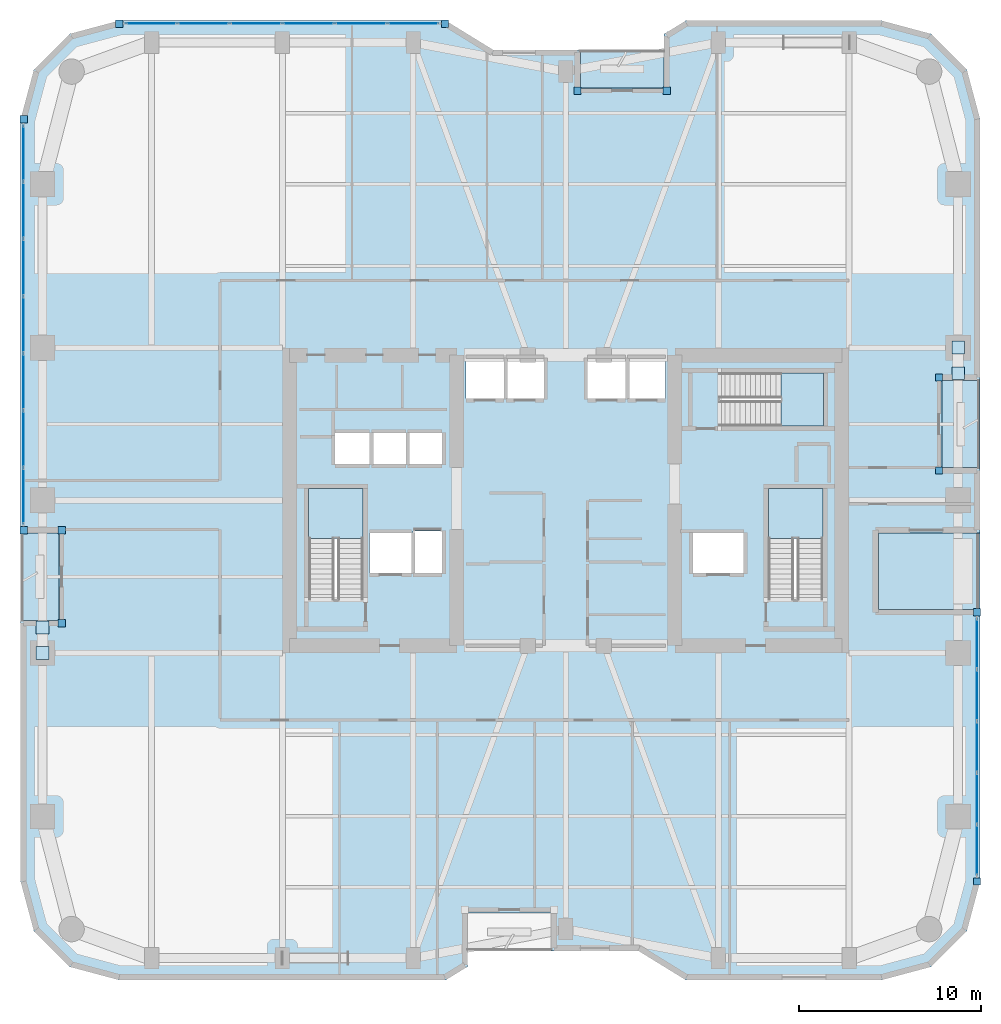
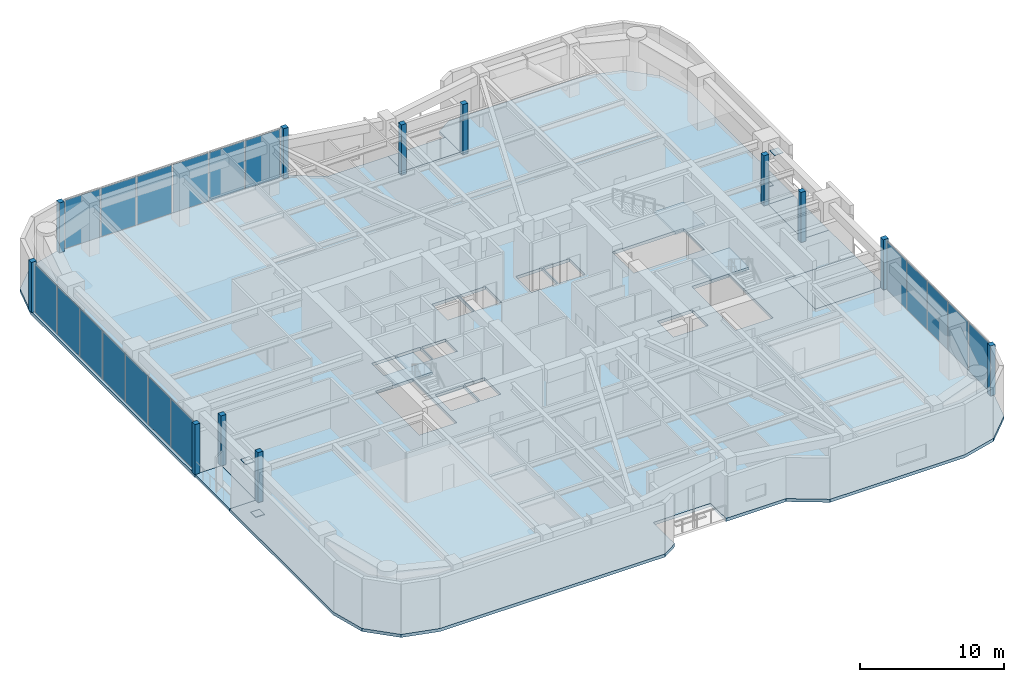
# One storey, part 12 of 20: 34 plates, 8 slabs, 6 elements without a shape of their own.
"""IFC4 building model written with IfcOpenShell, lengths in metres."""

from ifc_helpers import new_model, si_unit, direction, frame, origin, origin_2d, place, context, subcontext, project, spatial, polyline, rectangle, outline, extrude, material, layer, layer_set, type_object, element, aggregate, save


model = new_model("IFC4")

# Units and contexts
model_context = context("Model", 3, precision=1e-05, world=origin(), true_north=direction((0.0, 1.0)))
body_context = subcontext(model_context, "Body", "Model", "MODEL_VIEW")
ifc_project = project(units=[si_unit("LENGTHUNIT", "METRE"), si_unit("AREAUNIT", "SQUARE_METRE"), si_unit("VOLUMEUNIT", "CUBIC_METRE"), si_unit("PLANEANGLEUNIT", "RADIAN"), si_unit("MASSUNIT", "GRAM", prefix="KILO")], contexts=[model_context])

# Site, building, storey
site_placement = place(None, origin())
site = spatial("IfcSite", under=ifc_project, at=site_placement, CompositionType="ELEMENT")
building_placement = place(site_placement, origin())
building = spatial("IfcBuilding", under=site, at=building_placement, Name="Kiyonajd Concourse Tower", CompositionType="ELEMENT")
storey_placement = place(building_placement, frame((0.0, 0.0, 125.39990234375)))
storey = spatial("IfcBuildingStorey", under=building, at=storey_placement, Name="L32", CompositionType="ELEMENT", Elevation=125.39990234375)

# Plates
ifc_material_1 = material(Name="Steel ASTM A572 Grade 50", Category="steel")
ifc_layer_1 = layer(ifc_material_1, 0.028076171875)
ifc_layer_set_1 = layer_set([ifc_layer_1], Name="Steel ASTM A572 Grade 50")
plate_type_1 = type_object("IfcPlateType", Name="PL-CAP-450", PredefinedType="USERDEFINED", material=ifc_layer_set_1)
for number, where, z_axis, x_axis, name in (
    (1, (19.199951171875, 27.595947265625, 0.27587890625), (0.0, 0.0, 1.0), (1.0, 0.0, 0.0), "L32 Hollow Brace End Cap Plate PBW"),
    (2, (19.199951171875, 29.00390625, 3.88623046875), (0.0, 0.0, 1.0), (1.0, 0.0, 0.0), "L32 Hollow Brace Top Cap Plate PBW"),
    (3, (69.60009765625, 44.404052734375, 0.27587890625), (0.0, 0.0, 1.0), (1.0, 0.0, 0.0), "L32 Hollow Brace End Cap Plate PBE"),
    (4, (69.60009765625, 42.99609375, 3.88623046875), (0.0, 0.0, 1.0), (1.0, 0.0, 0.0), "L32 Hollow Brace Top Cap Plate PBE"),
):
    element("IfcPlate", number, at=place(storey_placement, frame(where, z_axis=z_axis, x_axis=x_axis)), inside=storey, type_object=plate_type_1, Name=name, ObjectType="CAP PLATE", PredefinedType="USERDEFINED", context=body_context, shape_type="SweptSolid", body=[
        extrude(rectangle(XDim=0.7099609375, YDim=0.7099609375, at=origin_2d()), origin(), (0.0, 0.0, 1.0), 0.028076171875),
    ])

# Curtain wall, plates
ifc_material_2 = material(Name="Thermally Broken Anodised Aluminium", Category="aluminium")
ifc_layer_2 = layer(ifc_material_2, 0.179931640625)
ifc_layer_set_2 = layer_set([ifc_layer_2], Name="Thermally Broken Anodised Aluminium")
curtain_wall_type = type_object("IfcCurtainWallType", Name="CW-SYS-05", PredefinedType="NOTDEFINED", material=ifc_layer_set_2)
curtain_wall_1_placement = place(storey_placement, origin())
curtain_wall_1 = element("IfcCurtainWall", 5, at=curtain_wall_1_placement, inside=storey, type_object=curtain_wall_type, Name="L32 Unitised Curtain Wall CW5", PredefinedType="NOTDEFINED")
ifc_material_3 = material(Name="Double Low-E Insulated Glass", Category="glass")
ifc_layer_3 = layer(ifc_material_3, 0.0400390625)
ifc_layer_set_3 = layer_set([ifc_layer_3], Name="Double Low-E Insulated Glass")
plate_type_2 = type_object("IfcPlateType", Name="PL-CW-VIS40", PredefinedType="CURTAIN_PANEL", material=ifc_layer_set_3)
plate_1_placement = place(storey_placement, frame((18.159912109375, 36.242919921875, 0.0751953125), z_axis=(0.0, 0.0, 1.0), x_axis=(0.0, 1.0, 0.0)))
plate_1 = element("IfcPlate", 6, at=plate_1_placement, type_object=plate_type_2, Name="CW5 panel 1.1", PredefinedType="CURTAIN_PANEL", context=body_context, shape_type="SweptSolid", body=[
    extrude(rectangle(XDim=3.035888671875, YDim=0.0400390625, at=origin_2d()), origin(), (0.0, 0.0, 1.0), 4.090087890625),
])
plate_2_placement = place(storey_placement, frame((18.159912109375, 39.37255859375, 0.0751953125), z_axis=(0.0, 0.0, 1.0), x_axis=(0.0, 1.0, 0.0)))
plate_2 = element("IfcPlate", 7, at=plate_2_placement, type_object=plate_type_2, Name="CW5 panel 2.1", PredefinedType="CURTAIN_PANEL", context=body_context, shape_type="SweptSolid", body=[
    extrude(rectangle(XDim=3.073486328125, YDim=0.0400390625, at=origin_2d()), origin(), (0.0, 0.0, 1.0), 4.090087890625),
])
plate_3_placement = place(storey_placement, frame((18.159912109375, 42.52099609375, 0.0751953125), z_axis=(0.0, 0.0, 1.0), x_axis=(0.0, 1.0, 0.0)))
plate_3 = element("IfcPlate", 8, at=plate_3_placement, type_object=plate_type_2, Name="CW5 panel 3.1", PredefinedType="CURTAIN_PANEL", context=body_context, shape_type="SweptSolid", body=[
    extrude(rectangle(XDim=3.073486328125, YDim=0.0400390625, at=origin_2d()), origin(), (0.0, 0.0, 1.0), 4.090087890625),
])
plate_4_placement = place(storey_placement, frame((18.159912109375, 45.66943359375, 0.0751953125), z_axis=(0.0, 0.0, 1.0), x_axis=(0.0, 1.0, 0.0)))
plate_4 = element("IfcPlate", 9, at=plate_4_placement, type_object=plate_type_2, Name="CW5 panel 4.1", PredefinedType="CURTAIN_PANEL", context=body_context, shape_type="SweptSolid", body=[
    extrude(rectangle(XDim=3.073486328125, YDim=0.0400390625, at=origin_2d()), origin(), (0.0, 0.0, 1.0), 4.090087890625),
])
plate_5_placement = place(storey_placement, frame((18.159912109375, 48.81787109375, 0.0751953125), z_axis=(0.0, 0.0, 1.0), x_axis=(0.0, 1.0, 0.0)))
plate_5 = element("IfcPlate", 10, at=plate_5_placement, type_object=plate_type_2, Name="CW5 panel 5.1", PredefinedType="CURTAIN_PANEL", context=body_context, shape_type="SweptSolid", body=[
    extrude(rectangle(XDim=3.073486328125, YDim=0.0400390625, at=origin_2d()), origin(), (0.0, 0.0, 1.0), 4.090087890625),
])
plate_6_placement = place(storey_placement, frame((18.159912109375, 51.96630859375, 0.0751953125), z_axis=(0.0, 0.0, 1.0), x_axis=(0.0, 1.0, 0.0)))
plate_6 = element("IfcPlate", 11, at=plate_6_placement, type_object=plate_type_2, Name="CW5 panel 6.1", PredefinedType="CURTAIN_PANEL", context=body_context, shape_type="SweptSolid", body=[
    extrude(rectangle(XDim=3.073486328125, YDim=0.0400390625, at=origin_2d()), origin(), (0.0, 0.0, 1.0), 4.090087890625),
])
plate_7_placement = place(storey_placement, frame((18.159912109375, 55.095947265625, 0.0751953125), z_axis=(0.0, 0.0, 1.0), x_axis=(0.0, 1.0, 0.0)))
plate_7 = element("IfcPlate", 12, at=plate_7_placement, type_object=plate_type_2, Name="CW5 panel 7.1", PredefinedType="CURTAIN_PANEL", context=body_context, shape_type="SweptSolid", body=[
    extrude(rectangle(XDim=3.035888671875, YDim=0.0400390625, at=origin_2d()), origin(), (0.0, 0.0, 1.0), 4.090087890625),
])
aggregate(curtain_wall_1, [plate_1, plate_2, plate_3, plate_4, plate_5, plate_6, plate_7])

curtain_wall_2_placement = place(storey_placement, origin())
curtain_wall_2 = element("IfcCurtainWall", 13, at=curtain_wall_2_placement, inside=storey, type_object=curtain_wall_type, Name="L32 Unitised Curtain Wall CW5", PredefinedType="NOTDEFINED")
plate_8_placement = place(storey_placement, frame((25.176025390625, 62.239990234375, 0.0751953125), z_axis=(0.0, 0.0, 1.0), x_axis=(1.0, 0.0, 0.0)))
plate_8 = element("IfcPlate", 14, at=plate_8_placement, type_object=plate_type_2, Name="CW5 panel 1.1", PredefinedType="CURTAIN_PANEL", context=body_context, shape_type="SweptSolid", body=[
    extrude(rectangle(XDim=2.77978515625, YDim=0.0400390625, at=origin_2d()), origin(), (0.0, 0.0, 1.0), 4.090087890625),
])
plate_9_placement = place(storey_placement, frame((28.049560546875, 62.239990234375, 0.0751953125), z_axis=(0.0, 0.0, 1.0), x_axis=(1.0, 0.0, 0.0)))
plate_9 = element("IfcPlate", 15, at=plate_9_placement, type_object=plate_type_2, Name="CW5 panel 2.1", PredefinedType="CURTAIN_PANEL", context=body_context, shape_type="SweptSolid", body=[
    extrude(rectangle(XDim=2.8173828125, YDim=0.0400390625, at=origin_2d()), origin(), (0.0, 0.0, 1.0), 4.090087890625),
])
plate_10_placement = place(storey_placement, frame((30.941650390625, 62.239990234375, 0.0751953125), z_axis=(0.0, 0.0, 1.0), x_axis=(1.0, 0.0, 0.0)))
plate_10 = element("IfcPlate", 16, at=plate_10_placement, type_object=plate_type_2, Name="CW5 panel 3.1", PredefinedType="CURTAIN_PANEL", context=body_context, shape_type="SweptSolid", body=[
    extrude(rectangle(XDim=2.8173828125, YDim=0.0400390625, at=origin_2d()), origin(), (0.0, 0.0, 1.0), 4.090087890625),
])
plate_11_placement = place(storey_placement, frame((33.833984375, 62.239990234375, 0.0751953125), z_axis=(0.0, 0.0, 1.0), x_axis=(1.0, 0.0, 0.0)))
plate_11 = element("IfcPlate", 17, at=plate_11_placement, type_object=plate_type_2, Name="CW5 panel 4.1", PredefinedType="CURTAIN_PANEL", context=body_context, shape_type="SweptSolid", body=[
    extrude(rectangle(XDim=2.8173828125, YDim=0.0400390625, at=origin_2d()), origin(), (0.0, 0.0, 1.0), 4.090087890625),
])
plate_12_placement = place(storey_placement, frame((36.726318359375, 62.239990234375, 0.0751953125), z_axis=(0.0, 0.0, 1.0), x_axis=(1.0, 0.0, 0.0)))
plate_12 = element("IfcPlate", 18, at=plate_12_placement, type_object=plate_type_2, Name="CW5 panel 5.1", PredefinedType="CURTAIN_PANEL", context=body_context, shape_type="SweptSolid", body=[
    extrude(rectangle(XDim=2.8173828125, YDim=0.0400390625, at=origin_2d()), origin(), (0.0, 0.0, 1.0), 4.090087890625),
])
plate_13_placement = place(storey_placement, frame((39.599853515625, 62.239990234375, 0.0751953125), z_axis=(0.0, 0.0, 1.0), x_axis=(1.0, 0.0, 0.0)))
plate_13 = element("IfcPlate", 19, at=plate_13_placement, type_object=plate_type_2, Name="CW5 panel 6.1", PredefinedType="CURTAIN_PANEL", context=body_context, shape_type="SweptSolid", body=[
    extrude(rectangle(XDim=2.77978515625, YDim=0.0400390625, at=origin_2d()), origin(), (0.0, 0.0, 1.0), 4.090087890625),
])
aggregate(curtain_wall_2, [plate_8, plate_9, plate_10, plate_11, plate_12, plate_13])

curtain_wall_3_placement = place(storey_placement, origin())
curtain_wall_3 = element("IfcCurtainWall", 20, at=curtain_wall_3_placement, inside=storey, type_object=curtain_wall_type, Name="L32 Unitised Curtain Wall CW5", PredefinedType="NOTDEFINED")
plate_14_placement = place(storey_placement, frame((70.639892578125, 28.107421875, 0.0751953125), z_axis=(0.0, 0.0, 1.0), x_axis=(0.0, -1.0, 0.0)))
plate_14 = element("IfcPlate", 21, at=plate_14_placement, type_object=plate_type_2, Name="CW5 panel 1.1", PredefinedType="CURTAIN_PANEL", context=body_context, shape_type="SweptSolid", body=[
    extrude(rectangle(XDim=2.7353515625, YDim=0.0400390625, at=origin_2d()), origin(), (0.0, 0.0, 1.0), 4.090087890625),
])
plate_15_placement = place(storey_placement, frame((70.639892578125, 25.2783203125, 0.0751953125), z_axis=(0.0, 0.0, 1.0), x_axis=(0.0, -1.0, 0.0)))
plate_15 = element("IfcPlate", 22, at=plate_15_placement, type_object=plate_type_2, Name="CW5 panel 2.1", PredefinedType="CURTAIN_PANEL", context=body_context, shape_type="SweptSolid", body=[
    extrude(rectangle(XDim=2.772705078125, YDim=0.0400390625, at=origin_2d()), origin(), (0.0, 0.0, 1.0), 4.090087890625),
])
plate_16_placement = place(storey_placement, frame((70.639892578125, 22.4306640625, 0.0751953125), z_axis=(0.0, 0.0, 1.0), x_axis=(0.0, -1.0, 0.0)))
plate_16 = element("IfcPlate", 23, at=plate_16_placement, type_object=plate_type_2, Name="CW5 panel 3.1", PredefinedType="CURTAIN_PANEL", context=body_context, shape_type="SweptSolid", body=[
    extrude(rectangle(XDim=2.772705078125, YDim=0.0400390625, at=origin_2d()), origin(), (0.0, 0.0, 1.0), 4.090087890625),
])
plate_17_placement = place(storey_placement, frame((70.639892578125, 19.582763671875, 0.0751953125), z_axis=(0.0, 0.0, 1.0), x_axis=(0.0, -1.0, 0.0)))
plate_17 = element("IfcPlate", 24, at=plate_17_placement, type_object=plate_type_2, Name="CW5 panel 4.1", PredefinedType="CURTAIN_PANEL", context=body_context, shape_type="SweptSolid", body=[
    extrude(rectangle(XDim=2.772705078125, YDim=0.0400390625, at=origin_2d()), origin(), (0.0, 0.0, 1.0), 4.090087890625),
])
plate_18_placement = place(storey_placement, frame((70.639892578125, 16.753662109375, 0.0751953125), z_axis=(0.0, 0.0, 1.0), x_axis=(0.0, -1.0, 0.0)))
plate_18 = element("IfcPlate", 25, at=plate_18_placement, type_object=plate_type_2, Name="CW5 panel 5.1", PredefinedType="CURTAIN_PANEL", context=body_context, shape_type="SweptSolid", body=[
    extrude(rectangle(XDim=2.7353515625, YDim=0.0400390625, at=origin_2d()), origin(), (0.0, 0.0, 1.0), 4.090087890625),
])
aggregate(curtain_wall_3, [plate_14, plate_15, plate_16, plate_17, plate_18])

# Plates
ifc_layer_4 = layer(ifc_material_2, 0.39990234375)
ifc_layer_set_4 = layer_set([ifc_layer_4], Name="Thermally Broken Anodised Aluminium")
plate_type_3 = type_object("IfcPlateType", Name="PL-JMB-400", PredefinedType="USERDEFINED", material=ifc_layer_set_4)
for number, where, z_axis, x_axis, name in (
    (26, (20.260009765625, 29.239990234375, 0.0), (0.0, 0.0, 1.0), (1.0, 0.0, 0.0), "L32 Facade Jamb Closure Plate 01"),
    (27, (20.260009765625, 34.360107421875, 0.0), (0.0, 0.0, 1.0), (1.0, 0.0, 0.0), "L32 Facade Jamb Closure Plate 02"),
    (28, (18.159912109375, 34.360107421875, 0.0), (0.0, 0.0, 1.0), (1.0, 0.0, 0.0), "L32 Facade Jamb Closure Plate 03"),
    (29, (18.159912109375, 56.97900390625, 0.0), (0.0, 0.0, 1.0), (1.0, 0.0, 0.0), "L32 Facade Jamb Closure Plate 04"),
    (30, (23.421142578125, 62.239990234375, 0.0), (0.0, 0.0, 1.0), (1.0, 0.0, 0.0), "L32 Facade Jamb Closure Plate 05"),
    (31, (41.354736328125, 62.239990234375, 0.0), (0.0, 0.0, 1.0), (1.0, 0.0, 0.0), "L32 Facade Jamb Closure Plate 06"),
    (32, (48.639892578125, 58.5400390625, 0.0), (0.0, 0.0, 1.0), (1.0, 0.0, 0.0), "L32 Facade Jamb Closure Plate 07"),
    (33, (53.56005859375, 58.5400390625, 0.0), (0.0, 0.0, 1.0), (1.0, 0.0, 0.0), "L32 Facade Jamb Closure Plate 08"),
    (34, (68.5400390625, 42.760009765625, 0.0), (0.0, 0.0, 1.0), (1.0, 0.0, 0.0), "L32 Facade Jamb Closure Plate 09"),
    (35, (68.5400390625, 37.639892578125, 0.0), (0.0, 0.0, 1.0), (1.0, 0.0, 0.0), "L32 Facade Jamb Closure Plate 10"),
    (36, (70.639892578125, 29.840087890625, 0.0), (0.0, 0.0, 1.0), (1.0, 0.0, 0.0), "L32 Facade Jamb Closure Plate 11"),
    (37, (70.639892578125, 15.02099609375, 0.0), (0.0, 0.0, 1.0), (1.0, 0.0, 0.0), "L32 Facade Jamb Closure Plate 12"),
):
    element("IfcPlate", number, at=place(storey_placement, frame(where, z_axis=z_axis, x_axis=x_axis)), inside=storey, type_object=plate_type_3, Name=name, ObjectType="JAMB PLATE", PredefinedType="USERDEFINED", context=body_context, shape_type="SweptSolid", body=[
        extrude(rectangle(XDim=0.39990234375, YDim=0.39990234375, at=origin_2d()), origin(), (0.0, 0.0, 1.0), 4.239990234375),
    ])

# Stair, slab
ifc_material_4 = material(Name="Concrete C40/50", Category="concrete")
stair_type = type_object("IfcStairType", Name="ST-DLG-26R", PredefinedType="HALF_TURN_STAIR", material=ifc_material_4)
stair_1_placement = place(storey_placement, origin())
stair_1 = element("IfcStair", 38, at=stair_1_placement, inside=storey, type_object=stair_type, Name="L32 Protected Exit Stair ST1", PredefinedType="HALF_TURN_STAIR")
ifc_layer_5 = layer(ifc_material_4, 0.199951171875)
ifc_layer_set_5 = layer_set([ifc_layer_5], Name="Concrete C40/50")
slab_type_1 = type_object("IfcSlabType", Name="SL-LND-200", PredefinedType="LANDING", material=ifc_layer_set_5)
slab_1_placement = place(storey_placement, frame((0.0, 0.0, 2.050048828125)))
slab_1 = element("IfcSlab", 39, at=slab_1_placement, type_object=slab_type_1, Name="ST1 landing 1", PredefinedType="LANDING", context=body_context, shape_type="SweptSolid", body=[
    extrude(outline(polyline([(36.85009765625, 33.909912109375), (36.85009765625, 36.64990234375), (33.85009765625, 36.64990234375), (33.85009765625, 33.909912109375), (36.85009765625, 33.909912109375)])), origin(), (0.0, 0.0, 1.0), 0.199951171875),
])
aggregate(stair_1, [slab_1])

stair_2_placement = place(storey_placement, origin())
stair_2 = element("IfcStair", 40, at=stair_2_placement, inside=storey, type_object=stair_type, Name="L32 Protected Exit Stair ST2", PredefinedType="HALF_TURN_STAIR")
slab_2_placement = place(storey_placement, frame((0.0, 0.0, 2.050048828125)))
slab_2 = element("IfcSlab", 41, at=slab_2_placement, type_object=slab_type_1, Name="ST2 landing 1", PredefinedType="LANDING", context=body_context, shape_type="SweptSolid", body=[
    extrude(outline(polyline([(62.14990234375, 33.909912109375), (62.14990234375, 36.64990234375), (59.14990234375, 36.64990234375), (59.14990234375, 33.909912109375), (62.14990234375, 33.909912109375)])), origin(), (0.0, 0.0, 1.0), 0.199951171875),
])
aggregate(stair_2, [slab_2])

stair_3_placement = place(storey_placement, origin())
stair_3 = element("IfcStair", 42, at=stair_3_placement, inside=storey, type_object=stair_type, Name="L32 Protected Exit Stair ST3", PredefinedType="HALF_TURN_STAIR")
slab_3_placement = place(storey_placement, frame((0.0, 0.0, 2.050048828125)))
slab_3 = element("IfcSlab", 43, at=slab_3_placement, type_object=slab_type_1, Name="ST3 landing 1", PredefinedType="LANDING", context=body_context, shape_type="SweptSolid", body=[
    extrude(outline(polyline([(59.840087890625, 40.080078125), (62.179931640625, 40.080078125), (62.179931640625, 43.02001953125), (59.840087890625, 43.02001953125), (59.840087890625, 40.080078125)])), origin(), (0.0, 0.0, 1.0), 0.199951171875),
])
aggregate(stair_3, [slab_3])

# Slabs
ifc_material_5 = material(Name="Precast concrete C50/60", Category="concrete")
ifc_layer_6 = layer(ifc_material_5, 0.199951171875)
ifc_layer_set_6 = layer_set([ifc_layer_6], Name="Precast concrete C50/60")
slab_type_2 = type_object("IfcSlabType", Name="SL-LOG-200", PredefinedType="FLOOR", material=ifc_layer_set_6)
slab_4_placement = place(storey_placement, frame((0.0, 0.0, -0.199951171875)))
element("IfcSlab", 44, at=slab_4_placement, inside=storey, type_object=slab_type_2, Name="L32 Recessed Engawa Loggia Terrace Slab LOG-N", PredefinedType="FLOOR", context=body_context, shape_type="SweptSolid", body=[
    extrude(outline(polyline([(48.800048828125, 58.699951171875), (53.39990234375, 58.699951171875), (53.39990234375, 60.800048828125), (48.800048828125, 60.800048828125), (48.800048828125, 58.699951171875)])), origin(), (0.0, 0.0, 1.0), 0.199951171875),
])
slab_5_placement = place(storey_placement, frame((0.0, 0.0, -0.199951171875)))
element("IfcSlab", 45, at=slab_5_placement, inside=storey, type_object=slab_type_2, Name="L32 Recessed Engawa Loggia Terrace Slab LOG-W", PredefinedType="FLOOR", context=body_context, shape_type="SweptSolid", body=[
    extrude(outline(polyline([(18.0, 29.39990234375), (20.10009765625, 29.39990234375), (20.10009765625, 34.199951171875), (18.0, 34.199951171875), (18.0, 29.39990234375)])), origin(), (0.0, 0.0, 1.0), 0.199951171875),
])
slab_6_placement = place(storey_placement, frame((0.0, 0.0, -0.199951171875)))
element("IfcSlab", 46, at=slab_6_placement, inside=storey, type_object=slab_type_2, Name="L32 Recessed Engawa Loggia Terrace Slab LOG-E", PredefinedType="FLOOR", context=body_context, shape_type="SweptSolid", body=[
    extrude(outline(polyline([(68.699951171875, 37.800048828125), (70.800048828125, 37.800048828125), (70.800048828125, 42.60009765625), (68.699951171875, 42.60009765625), (68.699951171875, 37.800048828125)])), origin(), (0.0, 0.0, 1.0), 0.199951171875),
])
ifc_material_6 = material(Name="Concrete C50/60", Category="concrete")
ifc_layer_7 = layer(ifc_material_6, 0.219970703125)
ifc_layer_set_7 = layer_set([ifc_layer_7], Name="Concrete C50/60")
slab_type_3 = type_object("IfcSlabType", Name="SL-SKY-220", PredefinedType="FLOOR", material=ifc_layer_set_7)
slab_7_placement = place(storey_placement, frame((0.0, 0.0, -0.219970703125)))
element("IfcSlab", 47, at=slab_7_placement, inside=storey, type_object=slab_type_3, Name="L32 East Terrace Sky Garden Terrace Slab", PredefinedType="FLOOR", context=body_context, shape_type="SweptSolid", body=[
    extrude(outline(polyline([(65.199951171875, 30.0), (70.800048828125, 30.0), (70.800048828125, 34.199951171875), (65.199951171875, 34.199951171875), (65.199951171875, 30.0)])), origin(), (0.0, 0.0, 1.0), 0.219970703125),
])
ifc_layer_8 = layer(ifc_material_4, 0.260009765625)
ifc_layer_set_8 = layer_set([ifc_layer_8], Name="Concrete C40/50")
slab_type_4 = type_object("IfcSlabType", Name="SL-TWR-260", PredefinedType="FLOOR", material=ifc_layer_set_8)
slab_8_placement = place(storey_placement, frame((0.0, 0.0, -0.260009765625)))
element("IfcSlab", 48, at=slab_8_placement, inside=storey, type_object=slab_type_4, Name="L32 Tower Conditioned Floor Slab", PredefinedType="FLOOR", context=body_context, shape_type="SweptSolid", body=[
    extrude(outline(polyline([(18.0, 15.0), (18.0, 29.39990234375), (20.10009765625, 29.39990234375), (20.10009765625, 34.199951171875), (18.0, 34.199951171875), (18.0, 57.0), (18.722900390625, 59.699951171875), (20.699951171875, 61.677001953125), (23.39990234375, 62.39990234375), (41.39990234375, 62.39990234375), (44.0, 60.800048828125), (48.800048828125, 60.800048828125), (48.800048828125, 58.699951171875), (53.39990234375, 58.699951171875), (53.39990234375, 61.662109375), (54.60009765625, 62.39990234375), (65.39990234375, 62.39990234375), (68.10009765625, 61.677001953125), (70.076904296875, 59.699951171875), (70.800048828125, 57.0), (70.800048828125, 42.60009765625), (68.699951171875, 42.60009765625), (68.699951171875, 37.800048828125), (70.800048828125, 37.800048828125), (70.800048828125, 34.199951171875), (65.199951171875, 34.199951171875), (65.199951171875, 30.0), (70.800048828125, 30.0), (70.800048828125, 15.0), (70.076904296875, 12.300048828125), (68.10009765625, 10.322998046875), (65.39990234375, 9.60009765625), (54.60009765625, 9.60009765625), (52.0, 11.199951171875), (47.199951171875, 11.199951171875), (47.199951171875, 13.300048828125), (42.60009765625, 13.300048828125), (42.60009765625, 10.337890625), (41.39990234375, 9.60009765625), (23.39990234375, 9.60009765625), (20.699951171875, 10.322998046875), (18.722900390625, 12.300048828125), (18.0, 15.0)]), holes=[polyline([(39.5, 32.0), (37.199951171875, 32.0), (37.199951171875, 34.199951171875), (39.5, 34.199951171875), (39.5, 32.0)]), polyline([(39.60009765625, 32.0), (39.60009765625, 34.300048828125), (41.199951171875, 34.300048828125), (41.199951171875, 32.0), (39.60009765625, 32.0)]), polyline([(33.85009765625, 30.550048828125), (33.85009765625, 36.64990234375), (36.85009765625, 36.64990234375), (36.85009765625, 30.550048828125), (33.85009765625, 30.550048828125)]), polyline([(37.199951171875, 38.0), (35.300048828125, 38.0), (35.300048828125, 39.699951171875), (37.199951171875, 39.699951171875), (37.199951171875, 38.0)]), polyline([(37.300048828125, 38.0), (37.300048828125, 39.699951171875), (39.199951171875, 39.699951171875), (39.199951171875, 38.0), (37.300048828125, 38.0)]), polyline([(39.300048828125, 38.0), (39.300048828125, 39.699951171875), (41.199951171875, 39.699951171875), (41.199951171875, 38.0), (39.300048828125, 38.0)]), polyline([(44.60009765625, 41.60009765625), (42.5, 41.60009765625), (42.5, 43.800048828125), (44.60009765625, 43.800048828125), (44.60009765625, 41.60009765625)]), polyline([(55.0, 32.0), (55.0, 34.199951171875), (57.800048828125, 34.199951171875), (57.800048828125, 32.0), (55.0, 32.0)]), polyline([(59.14990234375, 30.550048828125), (59.14990234375, 36.64990234375), (62.14990234375, 36.64990234375), (62.14990234375, 30.550048828125), (59.14990234375, 30.550048828125)]), polyline([(56.47998046875, 43.02001953125), (62.179931640625, 43.02001953125), (62.179931640625, 40.080078125), (56.47998046875, 40.080078125), (56.47998046875, 43.02001953125)]), polyline([(44.699951171875, 41.60009765625), (44.699951171875, 43.800048828125), (46.800048828125, 43.800048828125), (46.800048828125, 41.60009765625), (44.699951171875, 41.60009765625)]), polyline([(49.199951171875, 41.60009765625), (49.199951171875, 43.800048828125), (51.300048828125, 43.800048828125), (51.300048828125, 41.60009765625), (49.199951171875, 41.60009765625)]), polyline([(51.39990234375, 41.60009765625), (51.39990234375, 43.800048828125), (53.5, 43.800048828125), (53.5, 41.60009765625), (51.39990234375, 41.60009765625)])]), origin(), (0.0, 0.0, 1.0), 0.260009765625),
])

save(model, "model.ifc")
